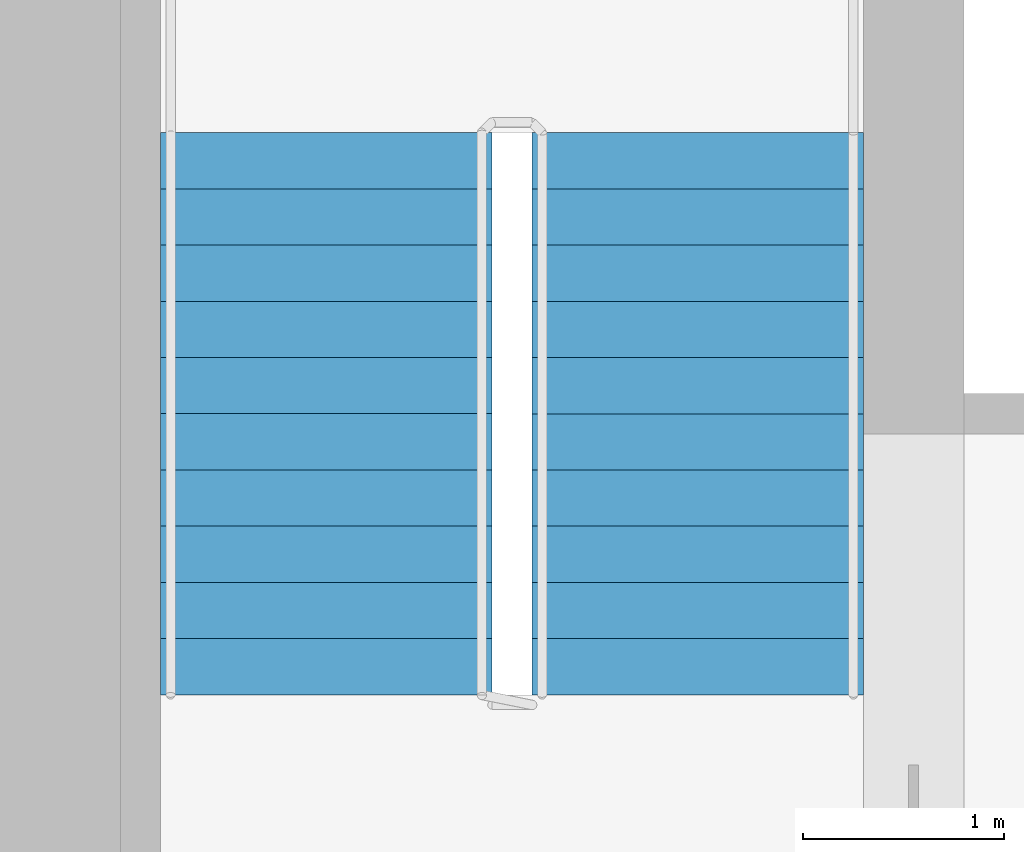
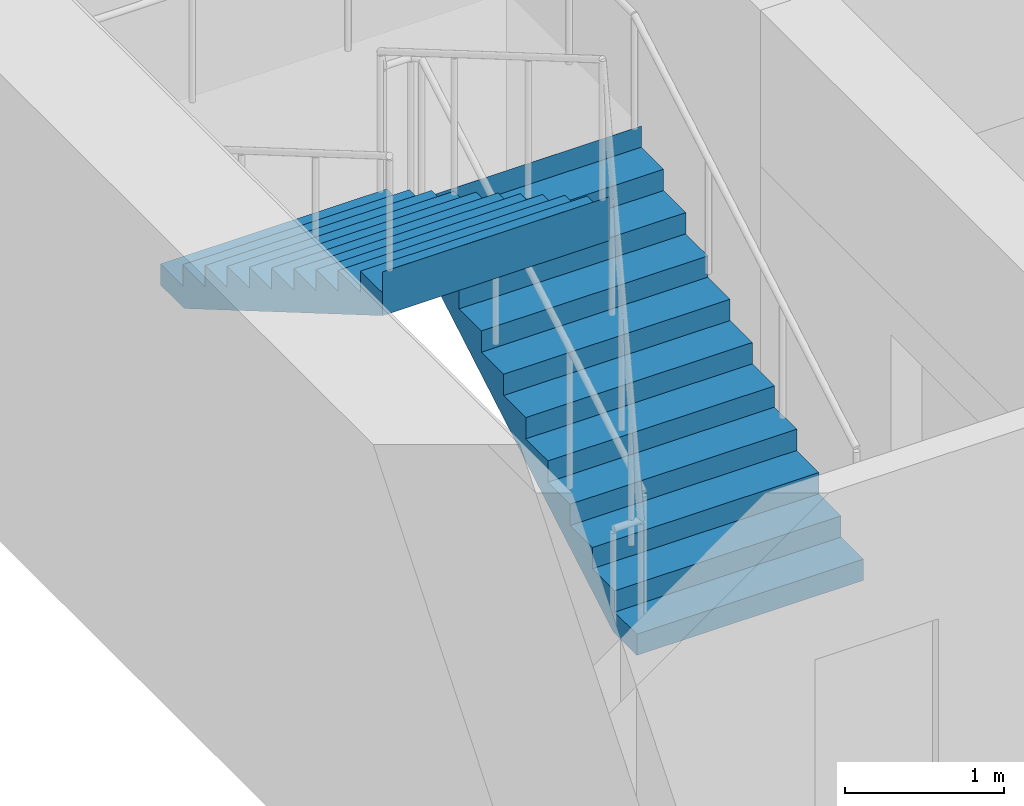
# One storey, part 13 of 14: 2 stair flights, 1 element without a shape of its own.
"""IFC4 building model written with IfcOpenShell, lengths in metres."""

from ifc_helpers import new_model, si_unit, direction, frame, origin, place, context, subcontext, project, spatial, polyline, outline, extrude, material, type_object, element, aggregate, save


model = new_model("IFC4")

# Units and contexts
model_context = context("Model", 3, precision=1e-05, world=origin(), true_north=direction((0.0, 1.0)))
body_context = subcontext(model_context, "Body", "Model", "MODEL_VIEW")
ifc_project = project(units=[si_unit("LENGTHUNIT", "METRE"), si_unit("AREAUNIT", "SQUARE_METRE"), si_unit("VOLUMEUNIT", "CUBIC_METRE"), si_unit("PLANEANGLEUNIT", "RADIAN"), si_unit("MASSUNIT", "GRAM", prefix="KILO")], contexts=[model_context])

# Site, building, storey
site_placement = place(None, origin())
site = spatial("IfcSite", under=ifc_project, at=site_placement, CompositionType="ELEMENT")
building_placement = place(site_placement, origin())
building = spatial("IfcBuilding", under=site, at=building_placement, Name="Tamorin Gate", CompositionType="ELEMENT")
storey_placement = place(building_placement, frame((0.0, 0.0, 151.800048828125)))
storey = spatial("IfcBuildingStorey", under=building, at=storey_placement, Name="L37", CompositionType="ELEMENT", Elevation=151.800048828125)

# Stair, stair flights
ifc_material = material(Name="Concrete C40/50", Category="concrete")
stair_type = type_object("IfcStairType", Name="Exit stair", PredefinedType="HALF_TURN_STAIR", material=ifc_material)
stair_placement = place(storey_placement, origin())
stair = element("IfcStair", 1, at=stair_placement, inside=storey, type_object=stair_type, Name="L37 stair ST2", PredefinedType="HALF_TURN_STAIR")
stair_flight_type = type_object("IfcStairFlightType", Name="Exit stair flight", PredefinedType="STRAIGHT", material=ifc_material)
stair_flight_1_placement = place(storey_placement, frame((33.675048828125, 77.0, 0.0), z_axis=(0.0, 0.0, 1.0), x_axis=(0.0, 1.0, 0.0)))
stair_flight_1 = element("IfcStairFlight", 2, at=stair_flight_1_placement, type_object=stair_flight_type, Name="ST2 flight 1", NumberOfRisers=11, NumberOfTreads=10, PredefinedType="STRAIGHT", RiserHeight=0.163636364, TreadLength=0.28, context=body_context, shape_type="SweptSolid", body=[
    extrude(outline(polyline([(-0.00048828125, 0.0), (-0.00048828125, 0.001708984375), (-0.00048828125, 0.003173828125), (-0.00048828125, 0.0048828125), (-0.00048828125, 0.006591796875), (-0.00048828125, 0.008056640625), (-0.00048828125, 0.009765625), (-0.00048828125, 0.01123046875), (-0.00048828125, 0.012939453125), (-0.00048828125, 0.0146484375), (-0.00048828125, 0.01611328125), (-0.00048828125, 0.017822265625), (-0.00048828125, 0.01953125), (-0.00048828125, 0.02099609375), (-0.00048828125, 0.022705078125), (-0.00048828125, 0.0244140625), (-0.00048828125, 0.02587890625), (-0.00048828125, 0.027587890625), (-0.00048828125, 0.029052734375), (-0.00048828125, 0.03076171875), (-0.00048828125, 0.032470703125), (-0.00048828125, 0.033935546875), (-0.00048828125, 0.03564453125), (-0.00048828125, 0.037353515625), (-0.00048828125, 0.038818359375), (-0.00048828125, 0.04052734375), (-0.00048828125, 0.042236328125), (-0.00048828125, 0.043701171875), (-0.00048828125, 0.04541015625), (-0.00048828125, 0.046875), (-0.00048828125, 0.048583984375), (-0.00048828125, 0.05029296875), (-0.00048828125, 0.0517578125), (-0.00048828125, 0.053466796875), (-0.00048828125, 0.05517578125), (-0.00048828125, 0.056640625), (-0.00048828125, 0.058349609375), (-0.00048828125, 0.06005859375), (-0.00048828125, 0.0615234375), (-0.00048828125, 0.063232421875), (-0.00048828125, 0.064697265625), (-0.00048828125, 0.06640625), (-0.00048828125, 0.068115234375), (-0.00048828125, 0.069580078125), (-0.00048828125, 0.0712890625), (-0.00048828125, 0.072998046875), (-0.00048828125, 0.074462890625), (-0.00048828125, 0.076171875), (-0.00048828125, 0.077880859375), (-0.00048828125, 0.079345703125), (-0.00048828125, 0.0810546875), (-0.00048828125, 0.08251953125), (-0.00048828125, 0.084228515625), (-0.00048828125, 0.0859375), (-0.00048828125, 0.08740234375), (-0.00048828125, 0.089111328125), (-0.00048828125, 0.0908203125), (-0.00048828125, 0.09228515625), (-0.00048828125, 0.093994140625), (-0.00048828125, 0.095703125), (-0.00048828125, 0.09716796875), (-0.00048828125, 0.098876953125), (-0.00048828125, 0.100341796875), (-0.00048828125, 0.10205078125), (-0.00048828125, 0.103759765625), (-0.00048828125, 0.105224609375), (-0.00048828125, 0.10693359375), (-0.00048828125, 0.108642578125), (-0.00048828125, 0.110107421875), (-0.00048828125, 0.11181640625), (-0.00048828125, 0.113525390625), (-0.00048828125, 0.114990234375), (-0.00048828125, 0.11669921875), (-0.00048828125, 0.1181640625), (-0.00048828125, 0.119873046875), (-0.00048828125, 0.12158203125), (-0.00048828125, 0.123046875), (-0.00048828125, 0.124755859375), (-0.00048828125, 0.12646484375), (-0.00048828125, 0.1279296875), (-0.00048828125, 0.129638671875), (-0.00048828125, 0.13134765625), (-0.00048828125, 0.1328125), (-0.00048828125, 0.134521484375), (-0.00048828125, 0.135986328125), (-0.00048828125, 0.1376953125), (-0.00048828125, 0.139404296875), (-0.00048828125, 0.140869140625), (-0.00048828125, 0.142578125), (-0.00048828125, 0.144287109375), (-0.00048828125, 0.145751953125), (-0.00048828125, 0.1474609375), (-0.00048828125, 0.149169921875), (-0.00048828125, 0.150634765625), (-0.00048828125, 0.15234375), (-0.00048828125, 0.15380859375), (-0.00048828125, 0.155517578125), (-0.00048828125, 0.1572265625), (-0.00048828125, 0.15869140625), (-0.00048828125, 0.160400390625), (-0.00048828125, 0.162109375), (-0.00048828125, 0.16357421875), (0.280029296875, 0.16357421875), (0.280029296875, 0.327392578125), (0.56005859375, 0.327392578125), (0.56005859375, 0.490966796875), (0.840087890625, 0.490966796875), (0.840087890625, 0.654541015625), (1.1201171875, 0.654541015625), (1.1201171875, 0.818115234375), (1.39990234375, 0.818115234375), (1.39990234375, 0.98193359375), (1.679931640625, 0.98193359375), (1.679931640625, 1.1455078125), (1.9599609375, 1.1455078125), (1.9599609375, 1.30908203125), (2.239990234375, 1.30908203125), (2.239990234375, 1.47265625), (2.52001953125, 1.47265625), (2.52001953125, 1.636474609375), (2.800048828125, 1.636474609375), (2.800048828125, 1.800048828125), (2.800537109375, 1.800048828125), (2.800537109375, 1.796630859375), (2.800537109375, 1.793212890625), (2.800537109375, 1.7900390625), (2.800537109375, 1.78662109375), (2.800537109375, 1.783203125), (2.800537109375, 1.780029296875), (2.800537109375, 1.776611328125), (2.800537109375, 1.773193359375), (2.800537109375, 1.77001953125), (2.800537109375, 1.7666015625), (2.800537109375, 1.76318359375), (2.800537109375, 1.760009765625), (2.800537109375, 1.756591796875), (2.800537109375, 1.753173828125), (2.800537109375, 1.75), (2.800537109375, 1.74658203125), (2.800537109375, 1.7431640625), (2.800537109375, 1.739990234375), (2.800537109375, 1.736572265625), (2.800537109375, 1.733154296875), (2.800537109375, 1.72998046875), (2.800537109375, 1.7265625), (2.800537109375, 1.72314453125), (2.800537109375, 1.719970703125), (2.800537109375, 1.716552734375), (2.800537109375, 1.713134765625), (2.800537109375, 1.7099609375), (2.800537109375, 1.70654296875), (2.800537109375, 1.703125), (2.800537109375, 1.69970703125), (2.800537109375, 1.696533203125), (2.800537109375, 1.693115234375), (2.800537109375, 1.689697265625), (2.800537109375, 1.6865234375), (2.800537109375, 1.68310546875), (2.800537109375, 1.6796875), (2.800537109375, 1.676513671875), (2.800537109375, 1.673095703125), (2.800537109375, 1.669677734375), (2.800537109375, 1.66650390625), (2.800537109375, 1.6630859375), (2.800537109375, 1.65966796875), (2.800537109375, 1.656494140625), (2.800537109375, 1.653076171875), (2.800537109375, 1.649658203125), (2.800537109375, 1.646484375), (2.800537109375, 1.64306640625), (2.800537109375, 1.6396484375), (2.800537109375, 1.636474609375), (2.800537109375, 1.633056640625), (2.800537109375, 1.629638671875), (2.800537109375, 1.62646484375), (2.800537109375, 1.623046875), (2.800537109375, 1.61962890625), (2.800537109375, 1.616455078125), (2.800537109375, 1.613037109375), (2.800537109375, 1.609619140625), (2.800537109375, 1.6064453125), (2.800537109375, 1.60302734375), (2.800537109375, 1.599609375), (2.800537109375, 1.59619140625), (2.800537109375, 1.593017578125), (2.800537109375, 1.589599609375), (2.800537109375, 1.586181640625), (2.800537109375, 1.5830078125), (2.800537109375, 1.57958984375), (2.800537109375, 1.576171875), (2.800537109375, 1.572998046875), (2.800537109375, 1.569580078125), (2.800537109375, 1.566162109375), (2.800537109375, 1.56298828125), (2.800537109375, 1.5595703125), (2.800537109375, 1.55615234375), (2.800537109375, 1.552978515625), (2.800537109375, 1.549560546875), (2.800537109375, 1.546142578125), (2.800537109375, 1.54296875), (2.800537109375, 1.53955078125), (2.800537109375, 1.5361328125), (2.800537109375, 1.532958984375), (2.800537109375, 1.529541015625), (2.800537109375, 1.526123046875), (2.800537109375, 1.52294921875), (2.800537109375, 1.51953125), (2.800537109375, 1.51611328125), (2.800537109375, 1.512939453125), (2.800537109375, 1.509521484375), (2.800537109375, 1.506103515625), (2.800537109375, 1.5029296875), (2.800537109375, 1.49951171875), (2.800537109375, 1.49609375), (2.800537109375, 1.49267578125), (2.800537109375, 1.489501953125), (2.800537109375, 1.486083984375), (2.800537109375, 1.482666015625), (2.800537109375, 1.4794921875), (2.800537109375, 1.47607421875), (2.800537109375, 1.47265625), (2.800537109375, 1.469482421875), (2.800537109375, 1.466064453125), (2.800537109375, 1.462646484375), (2.800048828125, 1.462646484375), (0.297119140625, 0.0), (-0.00048828125, 0.0)])), frame((0.0, 0.824951171875, 0.0), z_axis=(0.0, -1.0, 0.0), x_axis=(1.0, 0.0, 0.0)), (0.0, 0.0, 1.0), 1.64990234375),
])
stair_flight_2_placement = place(storey_placement, frame((31.824951171875, 79.800048828125, 1.800048828125), z_axis=(0.0, 0.0, 1.0), x_axis=(0.0, -1.0, 0.0)))
stair_flight_2 = element("IfcStairFlight", 3, at=stair_flight_2_placement, type_object=stair_flight_type, Name="ST2 flight 2", NumberOfRisers=11, NumberOfTreads=10, PredefinedType="STRAIGHT", RiserHeight=0.163636364, TreadLength=0.28, context=body_context, shape_type="SweptSolid", body=[
    extrude(outline(polyline([(-0.00048828125, 0.0), (-0.00048828125, 0.001708984375), (-0.00048828125, 0.003173828125), (-0.00048828125, 0.0048828125), (-0.00048828125, 0.006591796875), (-0.00048828125, 0.008056640625), (-0.00048828125, 0.009765625), (-0.00048828125, 0.01123046875), (-0.00048828125, 0.012939453125), (-0.00048828125, 0.0146484375), (-0.00048828125, 0.01611328125), (-0.00048828125, 0.017822265625), (-0.00048828125, 0.01953125), (-0.00048828125, 0.02099609375), (-0.00048828125, 0.022705078125), (-0.00048828125, 0.0244140625), (-0.00048828125, 0.02587890625), (-0.00048828125, 0.027587890625), (-0.00048828125, 0.029052734375), (-0.00048828125, 0.03076171875), (-0.00048828125, 0.032470703125), (-0.00048828125, 0.033935546875), (-0.00048828125, 0.03564453125), (-0.00048828125, 0.037353515625), (-0.00048828125, 0.038818359375), (-0.00048828125, 0.04052734375), (-0.00048828125, 0.042236328125), (-0.00048828125, 0.043701171875), (-0.00048828125, 0.04541015625), (-0.00048828125, 0.046875), (-0.00048828125, 0.048583984375), (-0.00048828125, 0.05029296875), (-0.00048828125, 0.0517578125), (-0.00048828125, 0.053466796875), (-0.00048828125, 0.05517578125), (-0.00048828125, 0.056640625), (-0.00048828125, 0.058349609375), (-0.00048828125, 0.06005859375), (-0.00048828125, 0.0615234375), (-0.00048828125, 0.063232421875), (-0.00048828125, 0.064697265625), (-0.00048828125, 0.06640625), (-0.00048828125, 0.068115234375), (-0.00048828125, 0.069580078125), (-0.00048828125, 0.0712890625), (-0.00048828125, 0.072998046875), (-0.00048828125, 0.074462890625), (-0.00048828125, 0.076171875), (-0.00048828125, 0.077880859375), (-0.00048828125, 0.079345703125), (-0.00048828125, 0.0810546875), (-0.00048828125, 0.08251953125), (-0.00048828125, 0.084228515625), (-0.00048828125, 0.0859375), (-0.00048828125, 0.08740234375), (-0.00048828125, 0.089111328125), (-0.00048828125, 0.0908203125), (-0.00048828125, 0.09228515625), (-0.00048828125, 0.093994140625), (-0.00048828125, 0.095703125), (-0.00048828125, 0.09716796875), (-0.00048828125, 0.098876953125), (-0.00048828125, 0.100341796875), (-0.00048828125, 0.10205078125), (-0.00048828125, 0.103759765625), (-0.00048828125, 0.105224609375), (-0.00048828125, 0.10693359375), (-0.00048828125, 0.108642578125), (-0.00048828125, 0.110107421875), (-0.00048828125, 0.11181640625), (-0.00048828125, 0.113525390625), (-0.00048828125, 0.114990234375), (-0.00048828125, 0.11669921875), (-0.00048828125, 0.1181640625), (-0.00048828125, 0.119873046875), (-0.00048828125, 0.12158203125), (-0.00048828125, 0.123046875), (-0.00048828125, 0.124755859375), (-0.00048828125, 0.12646484375), (-0.00048828125, 0.1279296875), (-0.00048828125, 0.129638671875), (-0.00048828125, 0.13134765625), (-0.00048828125, 0.1328125), (-0.00048828125, 0.134521484375), (-0.00048828125, 0.135986328125), (-0.00048828125, 0.1376953125), (-0.00048828125, 0.139404296875), (-0.00048828125, 0.140869140625), (-0.00048828125, 0.142578125), (-0.00048828125, 0.144287109375), (-0.00048828125, 0.145751953125), (-0.00048828125, 0.1474609375), (-0.00048828125, 0.149169921875), (-0.00048828125, 0.150634765625), (-0.00048828125, 0.15234375), (-0.00048828125, 0.15380859375), (-0.00048828125, 0.155517578125), (-0.00048828125, 0.1572265625), (-0.00048828125, 0.15869140625), (-0.00048828125, 0.160400390625), (-0.00048828125, 0.162109375), (-0.00048828125, 0.16357421875), (0.280029296875, 0.16357421875), (0.280029296875, 0.327392578125), (0.56005859375, 0.327392578125), (0.56005859375, 0.490966796875), (0.840087890625, 0.490966796875), (0.840087890625, 0.654541015625), (1.1201171875, 0.654541015625), (1.1201171875, 0.818115234375), (1.39990234375, 0.818115234375), (1.39990234375, 0.98193359375), (1.679931640625, 0.98193359375), (1.679931640625, 1.1455078125), (1.9599609375, 1.1455078125), (1.9599609375, 1.30908203125), (2.239990234375, 1.30908203125), (2.239990234375, 1.47265625), (2.52001953125, 1.47265625), (2.52001953125, 1.636474609375), (2.800048828125, 1.636474609375), (2.800048828125, 1.800048828125), (2.800537109375, 1.800048828125), (2.800537109375, 1.796630859375), (2.800537109375, 1.793212890625), (2.800537109375, 1.7900390625), (2.800537109375, 1.78662109375), (2.800537109375, 1.783203125), (2.800537109375, 1.780029296875), (2.800537109375, 1.776611328125), (2.800537109375, 1.773193359375), (2.800537109375, 1.77001953125), (2.800537109375, 1.7666015625), (2.800537109375, 1.76318359375), (2.800537109375, 1.760009765625), (2.800537109375, 1.756591796875), (2.800537109375, 1.753173828125), (2.800537109375, 1.75), (2.800537109375, 1.74658203125), (2.800537109375, 1.7431640625), (2.800537109375, 1.739990234375), (2.800537109375, 1.736572265625), (2.800537109375, 1.733154296875), (2.800537109375, 1.72998046875), (2.800537109375, 1.7265625), (2.800537109375, 1.72314453125), (2.800537109375, 1.719970703125), (2.800537109375, 1.716552734375), (2.800537109375, 1.713134765625), (2.800537109375, 1.7099609375), (2.800537109375, 1.70654296875), (2.800537109375, 1.703125), (2.800537109375, 1.69970703125), (2.800537109375, 1.696533203125), (2.800537109375, 1.693115234375), (2.800537109375, 1.689697265625), (2.800537109375, 1.6865234375), (2.800537109375, 1.68310546875), (2.800537109375, 1.6796875), (2.800537109375, 1.676513671875), (2.800537109375, 1.673095703125), (2.800537109375, 1.669677734375), (2.800537109375, 1.66650390625), (2.800537109375, 1.6630859375), (2.800537109375, 1.65966796875), (2.800537109375, 1.656494140625), (2.800537109375, 1.653076171875), (2.800537109375, 1.649658203125), (2.800537109375, 1.646484375), (2.800537109375, 1.64306640625), (2.800537109375, 1.6396484375), (2.800537109375, 1.636474609375), (2.800537109375, 1.633056640625), (2.800537109375, 1.629638671875), (2.800537109375, 1.62646484375), (2.800537109375, 1.623046875), (2.800537109375, 1.61962890625), (2.800537109375, 1.616455078125), (2.800537109375, 1.613037109375), (2.800537109375, 1.609619140625), (2.800537109375, 1.6064453125), (2.800537109375, 1.60302734375), (2.800537109375, 1.599609375), (2.800537109375, 1.59619140625), (2.800537109375, 1.593017578125), (2.800537109375, 1.589599609375), (2.800537109375, 1.586181640625), (2.800537109375, 1.5830078125), (2.800537109375, 1.57958984375), (2.800537109375, 1.576171875), (2.800537109375, 1.572998046875), (2.800537109375, 1.569580078125), (2.800537109375, 1.566162109375), (2.800537109375, 1.56298828125), (2.800537109375, 1.5595703125), (2.800537109375, 1.55615234375), (2.800537109375, 1.552978515625), (2.800537109375, 1.549560546875), (2.800537109375, 1.546142578125), (2.800537109375, 1.54296875), (2.800537109375, 1.53955078125), (2.800537109375, 1.5361328125), (2.800537109375, 1.532958984375), (2.800537109375, 1.529541015625), (2.800537109375, 1.526123046875), (2.800537109375, 1.52294921875), (2.800537109375, 1.51953125), (2.800537109375, 1.51611328125), (2.800537109375, 1.512939453125), (2.800537109375, 1.509521484375), (2.800537109375, 1.506103515625), (2.800537109375, 1.5029296875), (2.800537109375, 1.49951171875), (2.800537109375, 1.49609375), (2.800537109375, 1.49267578125), (2.800537109375, 1.489501953125), (2.800537109375, 1.486083984375), (2.800537109375, 1.482666015625), (2.800537109375, 1.4794921875), (2.800537109375, 1.47607421875), (2.800537109375, 1.47265625), (2.800537109375, 1.469482421875), (2.800537109375, 1.466064453125), (2.800537109375, 1.462646484375), (2.800048828125, 1.462646484375), (0.297119140625, 0.0), (-0.00048828125, 0.0)])), frame((0.0, 0.824951171875, 0.0), z_axis=(0.0, -1.0, 0.0), x_axis=(1.0, 0.0, 0.0)), (0.0, 0.0, 1.0), 1.64990234375),
])
aggregate(stair, [stair_flight_1, stair_flight_2])

save(model, "model.ifc")
